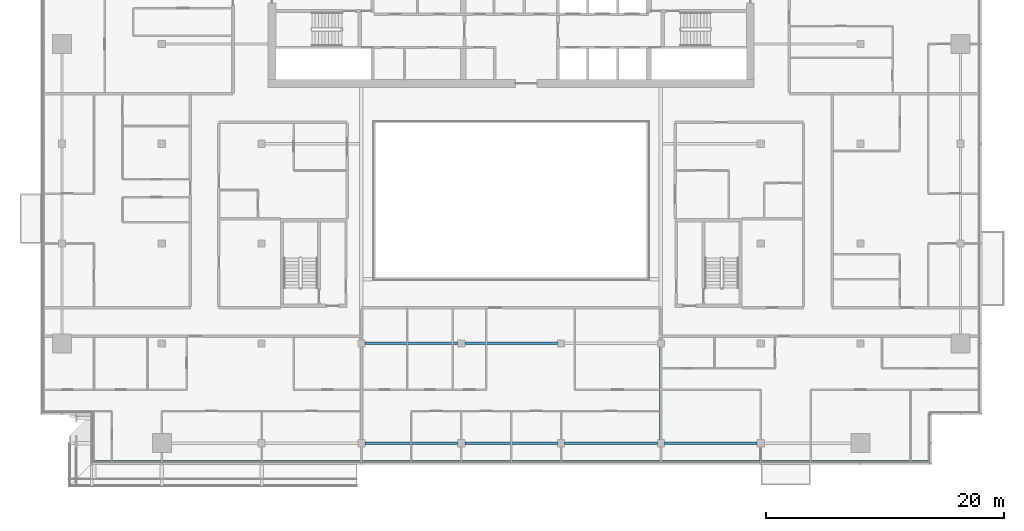
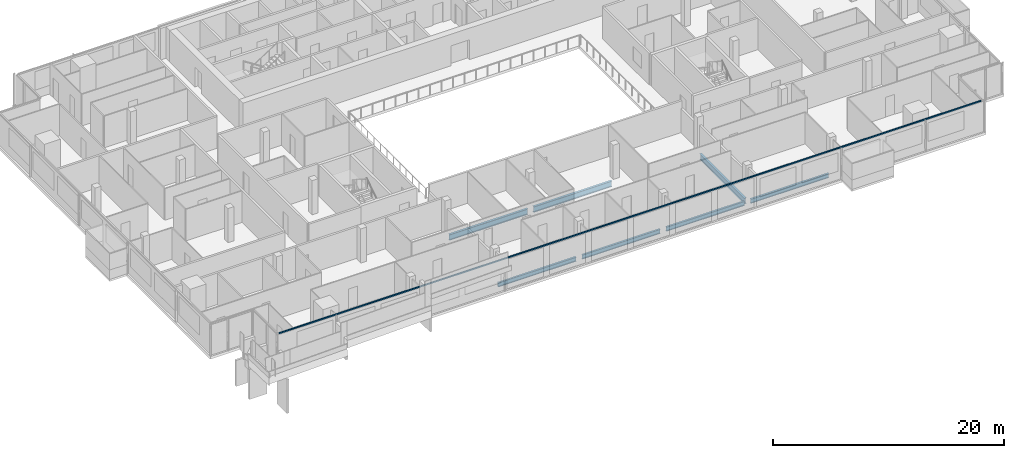
# One storey, part 5 of 29: 7 beams, 1 member, 1 element without a shape of its own.
"""IFC4 building model written with IfcOpenShell, lengths in metres."""

import ifcopenshell
import ifcopenshell.guid

model = None  # the IFC model being written
_history = None  # IfcOwnerHistory: only IFC2X3 demands one
_inside = {}  # id of a spatial element -> (the spatial element, [elements in it])
_under = {}  # id of a project, library or spatial element -> (it, [spatial elements below it])
_declared = {}  # id of a project -> (the project, [libraries it declares])
_typed = {}  # id of a type object -> (the type object, [elements of that type])
_made_of = {}  # id of a material, layer set ... -> (it, [elements and type objects made of it])


def new_model(schema):
    """Start an empty IFC model of exactly this schema.

    Asked for "IFC4X3", IfcOpenShell would pick the latest addendum, in which some entities
    have other attributes; the version numbers below select the first issue.
    IFC2X3 requires an IfcOwnerHistory on every rooted entity: one is made here for all.
    """
    global model, _history
    if schema == "IFC4X3":
        model = ifcopenshell.file(schema_version=(4, 3, 0, 0))
    else:
        model = ifcopenshell.file(schema=schema)
    _inside.clear()
    _under.clear()
    _declared.clear()
    _typed.clear()
    _made_of.clear()
    _history = None
    if model.schema == "IFC2X3":
        org = make("IfcOrganization", Name="unknown")
        user = make(
            "IfcPersonAndOrganization",
            ThePerson=make("IfcPerson", FamilyName="unknown"),
            TheOrganization=org,
        )
        app = make(
            "IfcApplication",
            ApplicationDeveloper=org,
            Version="unknown",
            ApplicationFullName="unknown",
            ApplicationIdentifier="unknown",
        )
        _history = make(
            "IfcOwnerHistory",
            OwningUser=user,
            OwningApplication=app,
            ChangeAction="ADDED",
            CreationDate=0,
        )
    return model


def make(cls, **values):
    """One entity of the class cls with the attributes given. An attribute that is None is left unset."""
    return model.create_entity(
        cls, **{name: value for name, value in values.items() if value is not None}
    )


def rooted(cls, **values):
    """An entity with a GlobalId (a new one), such as an element, a storey or a relation."""
    return make(cls, GlobalId=ifcopenshell.guid.new(), OwnerHistory=_history, **values)


def si_unit(unit_type, name, prefix=None):
    """IfcSIUnit, for example si_unit("LENGTHUNIT", "METRE", prefix="MILLI")."""
    return make("IfcSIUnit", UnitType=unit_type, Prefix=prefix, Name=name)


def assignment(units):
    """IfcUnitAssignment: the units of a project."""
    return None if units is None else make("IfcUnitAssignment", Units=units)


def point(xyz):
    """IfcCartesianPoint."""
    return None if xyz is None else make("IfcCartesianPoint", Coordinates=xyz)


def direction(xyz):
    """IfcDirection."""
    return None if xyz is None else make("IfcDirection", DirectionRatios=xyz)


def frame(location, z_axis=None, x_axis=None):
    """IfcAxis2Placement3D, a coordinate frame: its origin and axes. An axis left out is left unset."""
    return make(
        "IfcAxis2Placement3D",
        Location=point(location),
        Axis=direction(z_axis),
        RefDirection=direction(x_axis),
    )


def frame_2d(location, x_axis=None):
    """IfcAxis2Placement2D, a coordinate frame in the plane: its origin and x axis."""
    return make(
        "IfcAxis2Placement2D", Location=point(location), RefDirection=direction(x_axis)
    )


def origin():
    """The frame at (0, 0, 0) with its axes left unset."""
    return frame((0.0, 0.0, 0.0))


def origin_2d():
    """The frame at (0, 0) in the plane with its x axis left unset."""
    return frame_2d((0.0, 0.0))


def place(relative_to, where):
    """IfcLocalPlacement: puts the frame where relative to a parent placement (None: the world)."""
    return make(
        "IfcLocalPlacement", PlacementRelTo=relative_to, RelativePlacement=where
    )


def context(
    kind, dimensions, precision=None, world=None, true_north=None, identifier=None
):
    """IfcGeometricRepresentationContext, for example the 3D "Model" context."""
    return make(
        "IfcGeometricRepresentationContext",
        ContextIdentifier=identifier,
        ContextType=kind,
        CoordinateSpaceDimension=dimensions,
        Precision=precision,
        WorldCoordinateSystem=world,
        TrueNorth=true_north,
    )


def subcontext(parent, identifier, kind, view, scale=None):
    """IfcGeometricRepresentationSubContext, for example "Body" below "Model"."""
    return make(
        "IfcGeometricRepresentationSubContext",
        ContextIdentifier=identifier,
        ContextType=kind,
        ParentContext=parent,
        TargetScale=scale,
        TargetView=view,
    )


def project(units=None, contexts=None):
    """IfcProject with its units and contexts."""
    return rooted(
        "IfcProject",
        Name="project",
        RepresentationContexts=contexts,
        UnitsInContext=assignment(units),
    )


def spatial(cls, under=None, at=None, **own):
    """A site, building, storey or space (cls), placed at a placement, below another one or the project."""
    s = rooted(cls, ObjectPlacement=at, **own)
    if under is not None:
        _under.setdefault(under.id(), (under, []))[1].append(s)
    return s


def profile(cls, at=None, kind="AREA", **sizes):
    """A parametric profile (cls). Its sizes go by their IFC names, for example OverallWidth=200.0."""
    return make(cls, ProfileType=kind, Position=at, **sizes)


def rectangle(**sizes):
    """IfcRectangleProfileDef."""
    return profile("IfcRectangleProfileDef", **sizes)


def i_section(**sizes):
    """IfcIShapeProfileDef."""
    return profile("IfcIShapeProfileDef", **sizes)


def extrude(swept, where, along, depth):
    """IfcExtrudedAreaSolid: the profile swept, set in the frame where, extruded along a direction by depth."""
    return make(
        "IfcExtrudedAreaSolid",
        SweptArea=swept,
        Position=where,
        ExtrudedDirection=direction(along),
        Depth=depth,
    )


def shape(context_of_items, identifier, shape_type, items):
    """IfcShapeRepresentation: the items that make up one representation, for example the "Body"."""
    return make(
        "IfcShapeRepresentation",
        ContextOfItems=context_of_items,
        RepresentationIdentifier=identifier,
        RepresentationType=shape_type,
        Items=items,
    )


def material(Name=None, Category=None):
    """IfcMaterial."""
    return make("IfcMaterial", Name=Name, Category=Category)


def material_profile(
    of_material, cross_section, Name=None, Category=None, Priority=None
):
    """IfcMaterialProfile: a cross section and its material."""
    return make(
        "IfcMaterialProfile",
        Name=Name,
        Material=of_material,
        Profile=cross_section,
        Priority=Priority,
        Category=Category,
    )


def profile_set(profiles, Name=None, composite=None):
    """IfcMaterialProfileSet."""
    return make(
        "IfcMaterialProfileSet",
        Name=Name,
        MaterialProfiles=profiles,
        CompositeProfile=composite,
    )


def made_of(thing, what):
    """Note that an element or type object is made of a material, layer set ...; save() writes the relation."""
    if what is not None:
        _made_of.setdefault(what.id(), (what, []))[1].append(thing)
    return thing


def type_object(cls, material=None, **own):
    """A type object (cls), such as IfcWallType, which elements share."""
    return made_of(rooted(cls, **own), material)


def element(
    cls,
    number,
    at=None,
    inside=None,
    cuts=None,
    type_object=None,
    material=None,
    context=None,
    identifier="Body",
    shape_type=None,
    held_by="IfcProductDefinitionShape",
    body=None,
    shapes=None,
    **own,
):
    """One element of the class cls, such as IfcWall. Its Tag is "e" and its number.

    at: its placement. inside: the storey or other place that contains it. cuts: it is an
    opening in that element (IfcRelVoidsElement). A single representation is given by context,
    identifier, shape_type and body (its items); several are given by shapes. held_by: the class
    of the entity that holds the representations. save() writes the other relations.
    """
    e = rooted(cls, Tag="e%d" % number, ObjectPlacement=at, **own)
    if body is not None:
        shapes = [shape(context, identifier, shape_type, body)]
    if shapes is not None:
        e.Representation = make(held_by, Representations=shapes)
    if inside is not None:
        _inside.setdefault(inside.id(), (inside, []))[1].append(e)
    if cuts is not None:
        rooted(
            "IfcRelVoidsElement", RelatingBuildingElement=cuts, RelatedOpeningElement=e
        )
    if type_object is not None:
        _typed.setdefault(type_object.id(), (type_object, []))[1].append(e)
    return made_of(e, material)


def aggregate(whole, parts):
    """IfcRelAggregates: a whole, such as a stair, and the parts it consists of."""
    return rooted("IfcRelAggregates", RelatingObject=whole, RelatedObjects=parts)


def save(model, path):
    """Write the relations noted so far, then the file.

    IfcRelAggregates (storeys below a building ...), IfcRelContainedInSpatialStructure (elements
    in a storey), IfcRelDefinesByType, IfcRelAssociatesMaterial and IfcRelDeclares: one each for
    every whole, place, type object, material and project.
    """
    for whole, parts in _under.values():
        aggregate(whole, parts)
    for where, things in _inside.values():
        rooted(
            "IfcRelContainedInSpatialStructure",
            RelatedElements=things,
            RelatingStructure=where,
        )
    for kind, things in _typed.values():
        rooted("IfcRelDefinesByType", RelatedObjects=things, RelatingType=kind)
    for what, things in _made_of.values():
        rooted("IfcRelAssociatesMaterial", RelatedObjects=things, RelatingMaterial=what)
    for by, libraries in _declared.values():
        rooted("IfcRelDeclares", RelatingContext=by, RelatedDefinitions=libraries)
    model.write(path)


model = new_model("IFC4")

# Units and contexts
model_context = context("Model", 3, precision=1e-05, world=origin(), true_north=direction((0.0, 1.0)))
body_context = subcontext(model_context, "Body", "Model", "MODEL_VIEW")
ifc_project = project(units=[si_unit("LENGTHUNIT", "METRE"), si_unit("AREAUNIT", "SQUARE_METRE"), si_unit("VOLUMEUNIT", "CUBIC_METRE"), si_unit("PLANEANGLEUNIT", "RADIAN"), si_unit("MASSUNIT", "GRAM", prefix="KILO")], contexts=[model_context])

# Site, building, storey
site_placement = place(None, origin())
site = spatial("IfcSite", under=ifc_project, at=site_placement, CompositionType="ELEMENT")
building_placement = place(site_placement, origin())
building = spatial("IfcBuilding", under=site, at=building_placement, Name="Saffron Gate Tower", CompositionType="ELEMENT")
storey_placement = place(building_placement, frame((0.0, 0.0, 227.10009765625)))
storey = spatial("IfcBuildingStorey", under=building, at=storey_placement, Name="L55", CompositionType="ELEMENT", Elevation=227.10009765625)

# Beams
ifc_material_1 = material(Name="Structural steel S355", Category="steel")
ifc_material_profile_1 = material_profile(ifc_material_1, i_section(OverallWidth=0.219970703125, OverallDepth=0.60009765625, WebThickness=0.011962890625, FlangeThickness=0.01904296875, FilletRadius=0.02392578125, at=origin_2d()))
ifc_profile_set_1 = profile_set([ifc_material_profile_1], Name="Structural steel S355")
beam_type_1 = type_object("IfcBeamType", Name="B15 IPE 600", PredefinedType="BEAM", material=ifc_profile_set_1)
beam_1_placement = place(storey_placement, frame((100.199951171875, 32.10009765625, -0.580078125), z_axis=(0.0, 1.0, 0.0), x_axis=(-1.0, 0.0, 0.0)))
element("IfcBeam", 1, at=beam_1_placement, inside=storey, type_object=beam_type_1, Name="B15 FLOOR GIRDER", PredefinedType="BEAM", context=body_context, shape_type="SweptSolid", body=[
    extrude(i_section(OverallWidth=0.219970703125, OverallDepth=0.60009765625, WebThickness=0.011962890625, FlangeThickness=0.01904296875, FilletRadius=0.02392578125, at=origin_2d()), origin(), (0.0, 0.0, 1.0), 7.7998046875),
])
for number, where, z_axis, x_axis, name in (
    (2, (75.300048828125, 40.199951171875, -0.580078125), (1.0, 0.0, 0.0), (0.0, 1.0, 0.0), "B15 FLOOR GIRDER"),
    (3, (83.699951171875, 40.199951171875, -0.580078125), (1.0, 0.0, 0.0), (0.0, 1.0, 0.0), "B15 FLOOR GIRDER"),
):
    element("IfcBeam", number, at=place(storey_placement, frame(where, z_axis=z_axis, x_axis=x_axis)), inside=storey, type_object=beam_type_1, Name=name, PredefinedType="BEAM", context=body_context, shape_type="SweptSolid", body=[
        extrude(i_section(OverallWidth=0.219970703125, OverallDepth=0.60009765625, WebThickness=0.011962890625, FlangeThickness=0.01904296875, FilletRadius=0.02392578125, at=origin_2d()), origin(), (0.0, 0.0, 1.0), 7.800048828125),
    ])
ifc_material_profile_2 = material_profile(ifc_material_1, i_section(OverallWidth=0.18994140625, OverallDepth=0.449951171875, WebThickness=0.009521484375, FlangeThickness=0.0146484375, FilletRadius=0.02099609375, at=origin_2d()))
ifc_profile_set_2 = profile_set([ifc_material_profile_2], Name="Structural steel S355")
beam_type_2 = type_object("IfcBeamType", Name="B7 IPE 450", PredefinedType="SPANDREL", material=ifc_profile_set_2)
for number, where, z_axis, x_axis, name in (
    (4, (75.300048828125, 31.800048828125, -0.505126953125), (1.0, 0.0, 0.0), (0.0, 1.0, 0.0), "B7 SPANDREL BEAM"),
    (5, (83.699951171875, 31.800048828125, -0.505126953125), (1.0, 0.0, 0.0), (0.0, 1.0, 0.0), "B7 SPANDREL BEAM"),
):
    element("IfcBeam", number, at=place(storey_placement, frame(where, z_axis=z_axis, x_axis=x_axis)), inside=storey, type_object=beam_type_2, Name=name, PredefinedType="SPANDREL", context=body_context, shape_type="SweptSolid", body=[
        extrude(i_section(OverallWidth=0.18994140625, OverallDepth=0.449951171875, WebThickness=0.009521484375, FlangeThickness=0.0146484375, FilletRadius=0.02099609375, at=origin_2d()), origin(), (0.0, 0.0, 1.0), 7.800048828125),
    ])
beam_2_placement = place(storey_placement, frame((92.10009765625, 31.800048828125, -0.505126953125), z_axis=(1.0, 0.0, 0.0), x_axis=(0.0, 1.0, 0.0)))
element("IfcBeam", 6, at=beam_2_placement, inside=storey, type_object=beam_type_2, Name="B7 SPANDREL BEAM", PredefinedType="SPANDREL", context=body_context, shape_type="SweptSolid", body=[
    extrude(i_section(OverallWidth=0.18994140625, OverallDepth=0.449951171875, WebThickness=0.009521484375, FlangeThickness=0.0146484375, FilletRadius=0.02099609375, at=origin_2d()), origin(), (0.0, 0.0, 1.0), 7.7998046875),
])
beam_3_placement = place(storey_placement, frame((100.5, 31.800048828125, -0.505126953125), z_axis=(1.0, 0.0, 0.0), x_axis=(0.0, 1.0, 0.0)))
element("IfcBeam", 7, at=beam_3_placement, inside=storey, type_object=beam_type_2, Name="B7 SPANDREL BEAM", PredefinedType="SPANDREL", context=body_context, shape_type="SweptSolid", body=[
    extrude(i_section(OverallWidth=0.18994140625, OverallDepth=0.449951171875, WebThickness=0.009521484375, FlangeThickness=0.0146484375, FilletRadius=0.02099609375, at=origin_2d()), origin(), (0.0, 0.0, 1.0), 7.800048828125),
])

# Curtain wall, member
ifc_material_2 = material(Name="Aluminium, bronze anodised", Category="aluminium")
curtain_wall_type = type_object("IfcCurtainWallType", Name="CWS1 curtain wall front facade", PredefinedType="NOTDEFINED", material=ifc_material_2)
curtain_wall_placement = place(storey_placement, origin())
curtain_wall = element("IfcCurtainWall", 8, at=curtain_wall_placement, inside=storey, type_object=curtain_wall_type, Name="CWS1 run 1", PredefinedType="NOTDEFINED")
ifc_material_profile_3 = material_profile(ifc_material_2, rectangle(XDim=0.1201171875, YDim=0.1201171875, at=origin_2d()))
ifc_profile_set_3 = profile_set([ifc_material_profile_3], Name="Aluminium, bronze anodised")
member_type = type_object("IfcMemberType", Name="CWS1 head transom", PredefinedType="USERDEFINED", material=ifc_profile_set_3)
member_placement = place(storey_placement, frame((52.568115234375, 30.248046875, 3.260009765625), z_axis=(1.0, 0.0, 0.0), x_axis=(0.0, 1.0, 0.0)))
member = element("IfcMember", 9, at=member_placement, type_object=member_type, Name="CWS1 head transom", ObjectType="TRANSOM", PredefinedType="USERDEFINED", context=body_context, shape_type="SweptSolid", body=[
    extrude(rectangle(XDim=0.1201171875, YDim=0.1201171875, at=origin_2d()), origin(), (0.0, 0.0, 1.0), 70.06396484375),
])
aggregate(curtain_wall, [member])

save(model, "model.ifc")
